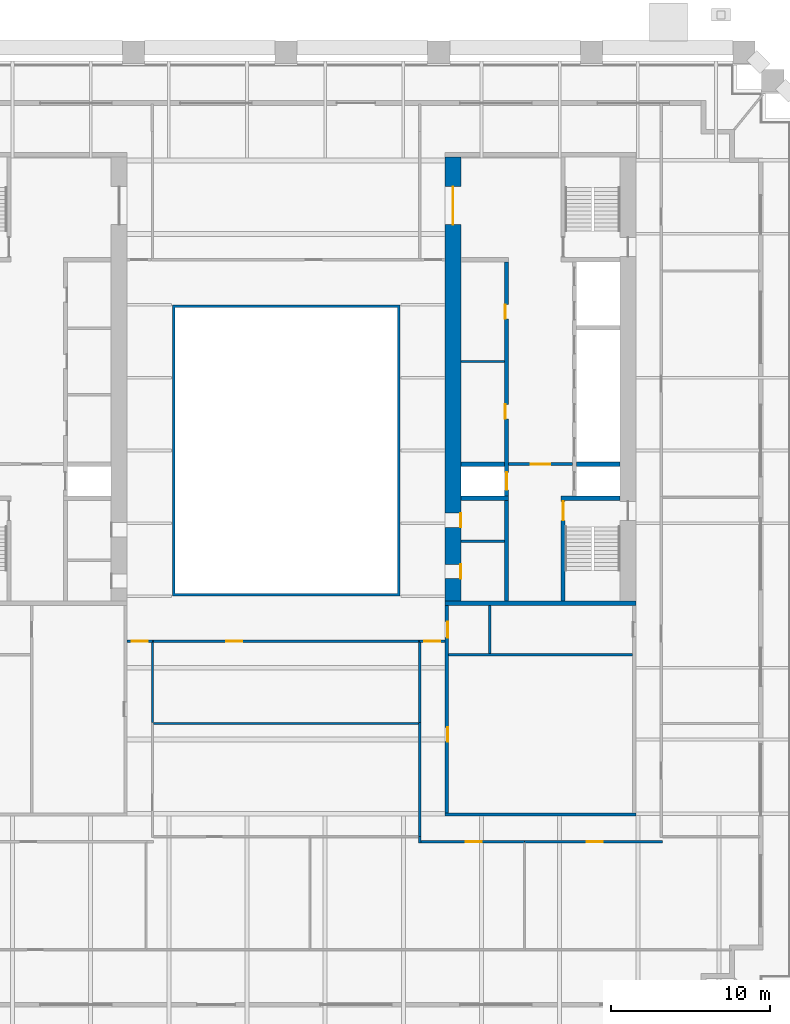
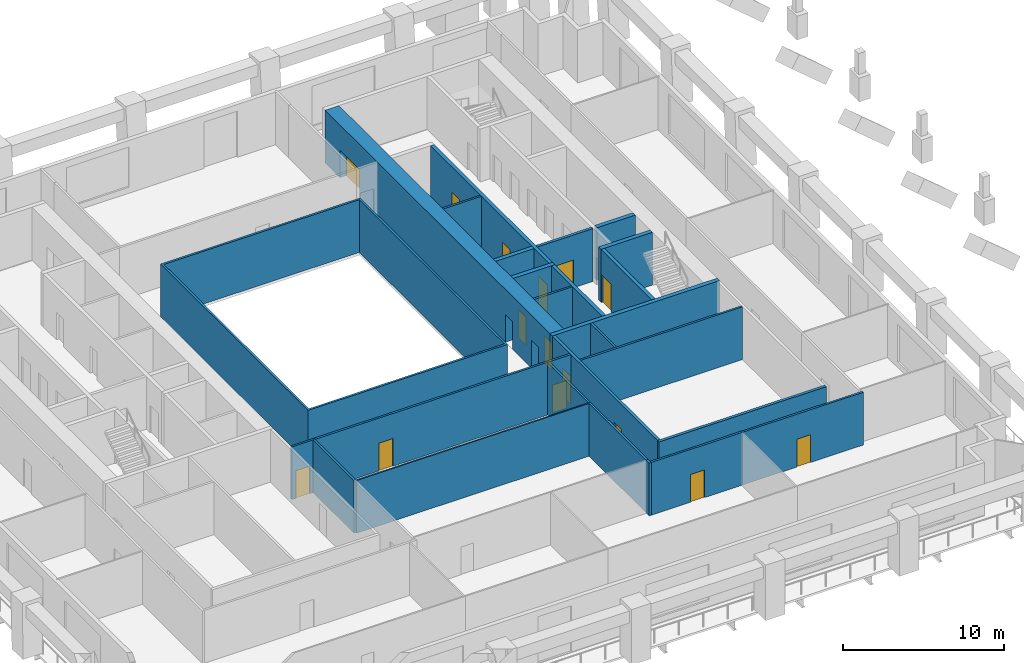
# One storey, part 5 of 10: 26 walls, 15 doors, 15 openings.
"""IFC4 building model written with IfcOpenShell, lengths in metres."""

from ifc_helpers import new_model, si_unit, direction, frame, frame_2d, origin, place, context, subcontext, project, spatial, polyline, rectangle, outline, extrude, material, layer, layer_set, type_object, element, fill, save


model = new_model("IFC4")

# Units and contexts
model_context = context("Model", 3, precision=1e-05, world=origin(), true_north=direction((0.0, 1.0)))
body_context = subcontext(model_context, "Body", "Model", "MODEL_VIEW")
ifc_project = project(units=[si_unit("LENGTHUNIT", "METRE"), si_unit("AREAUNIT", "SQUARE_METRE"), si_unit("VOLUMEUNIT", "CUBIC_METRE"), si_unit("PLANEANGLEUNIT", "RADIAN"), si_unit("MASSUNIT", "GRAM", prefix="KILO")], contexts=[model_context])

# Site, building, storey
site_placement = place(None, origin())
site = spatial("IfcSite", under=ifc_project, at=site_placement, CompositionType="ELEMENT")
building_placement = place(site_placement, origin())
building = spatial("IfcBuilding", under=site, at=building_placement, Name="Ogive Exchange Tower", CompositionType="ELEMENT")
storey_placement = place(building_placement, frame((0.0, 0.0, 39.60009765625)))
storey = spatial("IfcBuildingStorey", under=building, at=storey_placement, Name="L07", CompositionType="ELEMENT", Elevation=39.60009765625)

# Walls
ifc_material_1 = material(Name="Gypsum board partition")
ifc_layer_1 = layer(ifc_material_1, 0.14990234375)
ifc_layer_set_1 = layer_set([ifc_layer_1], Name="Core room partition 150 gypsum")
wall_type_1 = type_object("IfcWallType", Name="Core room partition 150 gypsum", PredefinedType="PARTITIONING", material=ifc_layer_set_1)
for number, where, z_axis, x_axis, name in (
    (1, (11.0, 12.60009765625, 0.0), (0.0, 0.0, 1.0), (1.0, 0.0, 0.0), "E row B bay partition 1-1"),
    (2, (11.0, 1.300048828125, 0.0), (0.0, 0.0, 1.0), (1.0, 0.0, 0.0), "E south room partition"),
):
    element("IfcWall", number, at=place(storey_placement, frame(where, z_axis=z_axis, x_axis=x_axis)), inside=storey, type_object=wall_type_1, Name=name, PredefinedType="PARTITIONING", context=body_context, shape_type="SweptSolid", body=[
        extrude(rectangle(XDim=2.75, YDim=0.14990234375, at=frame_2d((1.375, 0.0))), origin(), (0.0, 0.0, 1.0), 4.0),
    ])
wall_1_placement = place(storey_placement, frame((10.199951171875, -5.85009765625, 0.0), z_axis=(0.0, 0.0, 1.0), x_axis=(1.0, 0.0, 0.0)))
element("IfcWall", 3, at=wall_1_placement, inside=storey, type_object=wall_type_1, Name="E annex S wc strip wall 00", PredefinedType="PARTITIONING", context=body_context, shape_type="SweptSolid", body=[
    extrude(rectangle(XDim=11.60009765625, YDim=0.14990234375, at=frame_2d((5.800048828125, 0.0))), origin(), (0.0, 0.0, 1.0), 4.0),
])
wall_2_placement = place(storey_placement, frame((12.800048828125, -5.77490234375, 0.0), z_axis=(0.0, 0.0, 1.0), x_axis=(0.0, 1.0, 0.0)))
element("IfcWall", 4, at=wall_2_placement, inside=storey, type_object=wall_type_1, Name="E annex S wc partition 00", PredefinedType="PARTITIONING", context=body_context, shape_type="SweptSolid", body=[
    extrude(rectangle(XDim=3.02490234375, YDim=0.14990234375, at=frame_2d((1.512451171875, 0.0))), origin(), (0.0, 0.0, 1.0), 4.0),
])
ifc_material_2 = material(Name="Fire partition EI 60 150")
ifc_layer_2 = layer(ifc_material_2, 0.14990234375)
ifc_layer_set_2 = layer_set([ifc_layer_2], Name="Fire partition EI 60 150")
wall_type_2 = type_object("IfcWallType", Name="Fire partition EI 60 150", PredefinedType="PARTITIONING", material=ifc_layer_set_2)
wall_3_placement = place(storey_placement, frame((-8.39990234375, -4.925048828125, 0.0), z_axis=(0.0, 0.0, 1.0), x_axis=(0.0, -1.0, 0.0)))
element("IfcWall", 5, at=wall_3_placement, inside=storey, type_object=wall_type_2, Name="L07-PWL-019", PredefinedType="PARTITIONING", context=body_context, shape_type="SweptSolid", body=[
    extrude(rectangle(XDim=5.195068359375, YDim=0.14990234375, at=frame_2d((2.59765625, 0.0))), origin(), (0.0, 0.0, 1.0), 4.0),
])
wall_4_placement = place(storey_placement, frame((8.39990234375, -17.675048828125, 0.0), z_axis=(0.0, 0.0, 1.0), x_axis=(0.0, 1.0, 0.0)))
element("IfcWall", 6, at=wall_4_placement, inside=storey, type_object=wall_type_2, Name="L07-PWL-025", PredefinedType="PARTITIONING", context=body_context, shape_type="SweptSolid", body=[
    extrude(rectangle(XDim=0.385009765625, YDim=0.14990234375, at=frame_2d((0.1923828125, 0.0))), origin(), (0.0, 0.0, 1.0), 4.0),
])
wall_5_placement = place(storey_placement, frame((8.39990234375, -17.2900390625, 0.0), z_axis=(0.0, 0.0, 1.0), x_axis=(0.0, 1.0, 0.0)))
element("IfcWall", 7, at=wall_5_placement, inside=storey, type_object=wall_type_2, Name="L07-PWL-027", PredefinedType="PARTITIONING", context=body_context, shape_type="SweptSolid", body=[
    extrude(rectangle(XDim=7.169921875, YDim=0.14990234375, at=frame_2d((3.5849609375, 0.0))), origin(), (0.0, 0.0, 1.0), 4.0),
])
wall_6_placement = place(storey_placement, frame((8.39990234375, -10.1201171875, 0.0), z_axis=(0.0, 0.0, 1.0), x_axis=(0.0, 1.0, 0.0)))
element("IfcWall", 8, at=wall_6_placement, inside=storey, type_object=wall_type_2, Name="L07-PWL-029", PredefinedType="PARTITIONING", context=body_context, shape_type="SweptSolid", body=[
    extrude(rectangle(XDim=5.195068359375, YDim=0.14990234375, at=frame_2d((2.59765625, 0.0))), origin(), (0.0, 0.0, 1.0), 4.0),
])

# Wall, opening, door
wall_7_placement = place(storey_placement, frame((8.324951171875, -5.0, 0.0), z_axis=(0.0, 0.0, 1.0), x_axis=(-1.0, 0.0, 0.0)))
wall_7 = element("IfcWall", 9, at=wall_7_placement, inside=storey, type_object=wall_type_2, Name="L07-PWL-030", PredefinedType="PARTITIONING", context=body_context, shape_type="SweptSolid", body=[
    extrude(rectangle(XDim=16.64990234375, YDim=0.14990234375, at=frame_2d((8.324951171875, 0.0))), origin(), (0.0, 0.0, 1.0), 4.0),
])
opening_1_placement = place(wall_7_placement, frame((11.074951171875, 0.0, 0.0)))
opening_1 = element("IfcOpeningElement", 10, at=opening_1_placement, cuts=wall_7, Name="Opening L07-I01", PredefinedType="OPENING", context=body_context, shape_type="SweptSolid", body=[
    extrude(rectangle(XDim=1.0, YDim=2.10009765625, at=frame_2d((0.5, 1.050048828125))), frame((0.0, 0.0849609375, 0.0), z_axis=(0.0, -1.0, 0.0), x_axis=(1.0, 0.0, 0.0)), (0.0, 0.0, 1.0), 0.169921875),
])
ifc_material_3 = material(Name="Fire door FD 30S 1000 x 2100")
door_type_1 = type_object("IfcDoorType", Name="Fire door FD 30S 1000 x 2100", OperationType="NOTDEFINED", PredefinedType="DOOR", material=ifc_material_3)
door_1_placement = place(opening_1_placement, origin())
door_1 = element("IfcDoor", 11, at=door_1_placement, inside=storey, type_object=door_type_1, Name="L07-IDR-001", ObjectType="DT3", OperationType="SINGLE_SWING_LEFT", OverallHeight=2.10009765625, OverallWidth=1.0, PredefinedType="DOOR", context=body_context, shape_type="SweptSolid", body=[
    extrude(rectangle(XDim=1.0, YDim=2.10009765625, at=frame_2d((0.5, 1.050048828125))), frame((0.0, 0.02490234375, 0.0), z_axis=(0.0, -1.0, 0.0), x_axis=(1.0, 0.0, 0.0)), (0.0, 0.0, 1.0), 0.050048828125),
])
fill(opening_1, door_1)

wall_8_placement = place(storey_placement, frame((15.0, -17.60009765625, 0.0), z_axis=(0.0, 0.0, 1.0), x_axis=(-1.0, 0.0, 0.0)))
wall_8 = element("IfcWall", 12, at=wall_8_placement, inside=storey, type_object=wall_type_2, Name="L07-PWL-034", PredefinedType="PARTITIONING", context=body_context, shape_type="SweptSolid", body=[
    extrude(rectangle(XDim=6.52490234375, YDim=0.14990234375, at=frame_2d((3.262451171875, 0.0))), origin(), (0.0, 0.0, 1.0), 4.0),
])
opening_2_placement = place(wall_8_placement, frame((2.699951171875, 0.0, 0.0)))
opening_2 = element("IfcOpeningElement", 13, at=opening_2_placement, cuts=wall_8, Name="Opening L07-I14", PredefinedType="OPENING", context=body_context, shape_type="SweptSolid", body=[
    extrude(rectangle(XDim=1.0, YDim=2.10009765625, at=frame_2d((0.5, 1.050048828125))), frame((0.0, 0.0849609375, 0.0), z_axis=(0.0, -1.0, 0.0), x_axis=(1.0, 0.0, 0.0)), (0.0, 0.0, 1.0), 0.169921875),
])
door_2_placement = place(opening_2_placement, origin())
door_2 = element("IfcDoor", 14, at=door_2_placement, inside=storey, type_object=door_type_1, Name="L07-IDR-014", ObjectType="DT3", OperationType="SINGLE_SWING_RIGHT", OverallHeight=2.10009765625, OverallWidth=1.0, PredefinedType="DOOR", context=body_context, shape_type="SweptSolid", body=[
    extrude(rectangle(XDim=1.0, YDim=2.10009765625, at=frame_2d((0.5, 1.050048828125))), frame((0.0, 0.02490234375, 0.0), z_axis=(0.0, -1.0, 0.0), x_axis=(1.0, 0.0, 0.0)), (0.0, 0.0, 1.0), 0.050048828125),
])
fill(opening_2, door_2)

wall_9_placement = place(storey_placement, frame((23.675048828125, -17.60009765625, 0.0), z_axis=(0.0, 0.0, 1.0), x_axis=(-1.0, 0.0, 0.0)))
wall_9 = element("IfcWall", 15, at=wall_9_placement, inside=storey, type_object=wall_type_2, Name="L07-PWL-037", PredefinedType="PARTITIONING", context=body_context, shape_type="SweptSolid", body=[
    extrude(rectangle(XDim=8.675048828125, YDim=0.14990234375, at=frame_2d((4.33740234375, 0.0))), origin(), (0.0, 0.0, 1.0), 4.0),
])
opening_3_placement = place(wall_9_placement, frame((3.77490234375, 0.0, 0.0)))
opening_3 = element("IfcOpeningElement", 16, at=opening_3_placement, cuts=wall_9, Name="Opening L07-I16", PredefinedType="OPENING", context=body_context, shape_type="SweptSolid", body=[
    extrude(rectangle(XDim=1.0, YDim=2.10009765625, at=frame_2d((0.5, 1.050048828125))), frame((0.0, 0.0849609375, 0.0), z_axis=(0.0, -1.0, 0.0), x_axis=(1.0, 0.0, 0.0)), (0.0, 0.0, 1.0), 0.169921875),
])
door_3_placement = place(opening_3_placement, origin())
door_3 = element("IfcDoor", 17, at=door_3_placement, inside=storey, type_object=door_type_1, Name="L07-IDR-016", ObjectType="DT3", OperationType="SINGLE_SWING_LEFT", OverallHeight=2.10009765625, OverallWidth=1.0, PredefinedType="DOOR", context=body_context, shape_type="SweptSolid", body=[
    extrude(rectangle(XDim=1.0, YDim=2.10009765625, at=frame_2d((0.5, 1.050048828125))), frame((0.0, 0.02490234375, 0.0), z_axis=(0.0, -1.0, 0.0), x_axis=(1.0, 0.0, 0.0)), (0.0, 0.0, 1.0), 0.050048828125),
])
fill(opening_3, door_3)

wall_10_placement = place(storey_placement, frame((-8.39990234375, -5.0, 0.0), z_axis=(0.0, 0.0, 1.0), x_axis=(-1.0, 0.0, 0.0)))
wall_10 = element("IfcWall", 18, at=wall_10_placement, inside=storey, type_object=wall_type_2, Name="L07-PWL-048", PredefinedType="PARTITIONING", context=body_context, shape_type="SweptSolid", body=[
    extrude(rectangle(XDim=1.60009765625, YDim=0.14990234375, at=frame_2d((0.800048828125, 0.0))), origin(), (0.0, 0.0, 1.0), 4.0),
])
opening_4_placement = place(wall_10_placement, frame((0.300048828125, 0.0, 0.0)))
opening_4 = element("IfcOpeningElement", 19, at=opening_4_placement, cuts=wall_10, Name="Opening L07-I18", PredefinedType="OPENING", context=body_context, shape_type="SweptSolid", body=[
    extrude(rectangle(XDim=1.0, YDim=2.10009765625, at=frame_2d((0.5, 1.050048828125))), frame((0.0, 0.0849609375, 0.0), z_axis=(0.0, -1.0, 0.0), x_axis=(1.0, 0.0, 0.0)), (0.0, 0.0, 1.0), 0.169921875),
])
door_4_placement = place(opening_4_placement, origin())
door_4 = element("IfcDoor", 20, at=door_4_placement, inside=storey, type_object=door_type_1, Name="L07-IDR-018", ObjectType="DT3", OperationType="SINGLE_SWING_RIGHT", OverallHeight=2.10009765625, OverallWidth=1.0, PredefinedType="DOOR", context=body_context, shape_type="SweptSolid", body=[
    extrude(rectangle(XDim=1.0, YDim=2.10009765625, at=frame_2d((0.5, 1.050048828125))), frame((0.0, 0.02490234375, 0.0), z_axis=(0.0, -1.0, 0.0), x_axis=(1.0, 0.0, 0.0)), (0.0, 0.0, 1.0), 0.050048828125),
])
fill(opening_4, door_4)

wall_11_placement = place(storey_placement, frame((10.0, -5.0, 0.0), z_axis=(0.0, 0.0, 1.0), x_axis=(-1.0, 0.0, 0.0)))
wall_11 = element("IfcWall", 21, at=wall_11_placement, inside=storey, type_object=wall_type_2, Name="L07-PWL-050", PredefinedType="PARTITIONING", context=body_context, shape_type="SweptSolid", body=[
    extrude(rectangle(XDim=1.60009765625, YDim=0.14990234375, at=frame_2d((0.800048828125, 0.0))), origin(), (0.0, 0.0, 1.0), 4.0),
])
opening_5_placement = place(wall_11_placement, frame((0.300048828125, 0.0, 0.0)))
opening_5 = element("IfcOpeningElement", 22, at=opening_5_placement, cuts=wall_11, Name="Opening L07-I20", PredefinedType="OPENING", context=body_context, shape_type="SweptSolid", body=[
    extrude(rectangle(XDim=1.0, YDim=2.10009765625, at=frame_2d((0.5, 1.050048828125))), frame((0.0, 0.0849609375, 0.0), z_axis=(0.0, -1.0, 0.0), x_axis=(1.0, 0.0, 0.0)), (0.0, 0.0, 1.0), 0.169921875),
])
door_5_placement = place(opening_5_placement, origin())
door_5 = element("IfcDoor", 23, at=door_5_placement, inside=storey, type_object=door_type_1, Name="L07-IDR-020", ObjectType="DT3", OperationType="SINGLE_SWING_LEFT", OverallHeight=2.10009765625, OverallWidth=1.0, PredefinedType="DOOR", context=body_context, shape_type="SweptSolid", body=[
    extrude(rectangle(XDim=1.0, YDim=2.10009765625, at=frame_2d((0.5, 1.050048828125))), frame((0.0, 0.02490234375, 0.0), z_axis=(0.0, -1.0, 0.0), x_axis=(1.0, 0.0, 0.0)), (0.0, 0.0, 1.0), 0.050048828125),
])
fill(opening_5, door_5)

# Walls
ifc_material_4 = material(Name="Fire-resisting glass in steel frame", Category="steel")
ifc_layer_3 = layer(ifc_material_4, 0.14990234375)
ifc_layer_set_3 = layer_set([ifc_layer_3], Name="Fire-rated glazed wall 150")
wall_type_3 = type_object("IfcWallType", Name="Fire-rated glazed wall 150", PredefinedType="STANDARD", material=ifc_layer_set_3)
wall_12_placement = place(storey_placement, origin())
element("IfcWall", 24, at=wall_12_placement, inside=storey, type_object=wall_type_3, Name="Nave enclosure wall", PredefinedType="STANDARD", context=body_context, shape_type="SweptSolid", body=[
    extrude(outline(polyline([(-7.14990234375, -2.14990234375), (7.14990234375, -2.14990234375), (7.14990234375, 16.14990234375), (-7.14990234375, 16.14990234375), (-7.14990234375, -2.14990234375)]), holes=[polyline([(-7.0, -2.0), (-7.0, 16.0), (7.0, 16.0), (7.0, -2.0), (-7.0, -2.0)])]), origin(), (0.0, 0.0, 1.0), 4.0),
])
ifc_material_5 = material(Name="Partition 100 gypsum")
ifc_layer_4 = layer(ifc_material_5, 0.10009765625)
ifc_layer_set_4 = layer_set([ifc_layer_4], Name="Partition 100 gypsum")
wall_type_4 = type_object("IfcWallType", Name="Partition 100 gypsum", PredefinedType="PARTITIONING", material=ifc_layer_set_4)
wall_13_placement = place(storey_placement, frame((8.324951171875, -10.169921875, 0.0), z_axis=(0.0, 0.0, 1.0), x_axis=(-1.0, 0.0, 0.0)))
element("IfcWall", 25, at=wall_13_placement, inside=storey, type_object=wall_type_4, Name="L07-PWL-028", PredefinedType="PARTITIONING", context=body_context, shape_type="SweptSolid", body=[
    extrude(rectangle(XDim=16.64990234375, YDim=0.10009765625, at=frame_2d((8.324951171875, 0.0))), origin(), (0.0, 0.0, 1.0), 4.0),
])

# Wall, openings, doors
ifc_material_6 = material(Name="Concrete C70/85", Category="concrete")
ifc_layer_5 = layer(ifc_material_6, 1.0)
ifc_layer_set_5 = layer_set([ifc_layer_5], Name="RC core wall 1000 C70/85")
wall_type_5 = type_object("IfcWallType", Name="RC core wall 1000 C70/85", PredefinedType="SHEAR", material=ifc_layer_set_5)
wall_14_placement = place(storey_placement, frame((10.5, -2.449951171875, 0.0), z_axis=(0.0, 0.0, 1.0), x_axis=(0.0, 1.0, 0.0)))
wall_14 = element("IfcWall", 26, at=wall_14_placement, inside=storey, type_object=wall_type_5, Name="E inner wall", PredefinedType="SHEAR", context=body_context, shape_type="SweptSolid", body=[
    extrude(rectangle(XDim=27.89990234375, YDim=1.0, at=frame_2d((13.949951171875, 0.0))), origin(), (0.0, 0.0, 1.0), 4.0),
])
opening_6_placement = place(wall_14_placement, frame((23.64990234375, 0.0, 0.0)))
opening_6 = element("IfcOpeningElement", 27, at=opening_6_placement, cuts=wall_14, Name="Opening L07-C35", PredefinedType="OPENING", context=body_context, shape_type="SweptSolid", body=[
    extrude(rectangle(XDim=2.39990234375, YDim=2.10009765625, at=frame_2d((1.199951171875, 1.050048828125))), frame((0.0, 0.510009765625, 0.0), z_axis=(0.0, -1.0, 0.0), x_axis=(1.0, 0.0, 0.0)), (0.0, 0.0, 1.0), 1.02001953125),
])
opening_7_placement = place(wall_14_placement, frame((1.387451171875, 0.0, 0.0)))
opening_7 = element("IfcOpeningElement", 28, at=opening_7_placement, cuts=wall_14, Name="Opening L07-C40", PredefinedType="OPENING", context=body_context, shape_type="SweptSolid", body=[
    extrude(rectangle(XDim=0.89990234375, YDim=2.10009765625, at=frame_2d((0.449951171875, 1.050048828125))), frame((0.0, 0.510009765625, 0.0), z_axis=(0.0, -1.0, 0.0), x_axis=(1.0, 0.0, 0.0)), (0.0, 0.0, 1.0), 1.02001953125),
])
opening_8_placement = place(wall_14_placement, frame((4.612548828125, 0.0, 0.0)))
opening_8 = element("IfcOpeningElement", 29, at=opening_8_placement, cuts=wall_14, Name="Opening L07-C41", PredefinedType="OPENING", context=body_context, shape_type="SweptSolid", body=[
    extrude(rectangle(XDim=0.89990234375, YDim=2.10009765625, at=frame_2d((0.449951171875, 1.050048828125))), frame((0.0, 0.510009765625, 0.0), z_axis=(0.0, -1.0, 0.0), x_axis=(1.0, 0.0, 0.0)), (0.0, 0.0, 1.0), 1.02001953125),
])
ifc_material_7 = material(Name="Timber fire door", Category="wood")
door_type_2 = type_object("IfcDoorType", Name="Core room door FD30S 900 x 2100", OperationType="NOTDEFINED", PredefinedType="DOOR", material=ifc_material_7)
door_6_placement = place(opening_7_placement, frame((0.89990234375, -0.9501953125, 0.0), z_axis=(0.0, 0.0, 1.0), x_axis=(-1.0, 0.0, 0.0)))
door_6 = element("IfcDoor", 30, at=door_6_placement, inside=storey, type_object=door_type_2, Name="Core room door", ObjectType="CD6", OperationType="SINGLE_SWING_RIGHT", OverallHeight=2.10009765625, OverallWidth=0.89990234375, PredefinedType="DOOR", context=body_context, shape_type="SweptSolid", body=[
    extrude(rectangle(XDim=0.89990234375, YDim=2.10009765625, at=frame_2d((0.449951171875, 1.050048828125))), frame((0.0, -0.4501953125, 0.0), z_axis=(0.0, -1.0, 0.0), x_axis=(1.0, 0.0, 0.0)), (0.0, 0.0, 1.0), 0.050048828125),
])
fill(opening_7, door_6)
ifc_material_8 = material(Name="Glazed steel fire door", Category="steel")
door_type_3 = type_object("IfcDoorType", Name="Lift lobby double door FD60 2400 x 2100", OperationType="DOUBLE_DOOR_SINGLE_SWING", PredefinedType="DOOR", material=ifc_material_8)
door_7_placement = place(opening_6_placement, frame((2.39990234375, 0.0, 0.0), z_axis=(0.0, 0.0, 1.0), x_axis=(-1.0, 0.0, 0.0)))
door_7 = element("IfcDoor", 31, at=door_7_placement, inside=storey, type_object=door_type_3, Name="Lift lobby double door", ObjectType="CD4", OperationType="DOUBLE_DOOR_SINGLE_SWING", OverallHeight=2.10009765625, OverallWidth=2.39990234375, PredefinedType="DOOR", context=body_context, shape_type="SweptSolid", body=[
    extrude(rectangle(XDim=2.39990234375, YDim=2.10009765625, at=frame_2d((1.199951171875, 1.050048828125))), frame((0.0, 0.02490234375, 0.0), z_axis=(0.0, -1.0, 0.0), x_axis=(1.0, 0.0, 0.0)), (0.0, 0.0, 1.0), 0.050048828125),
])
fill(opening_6, door_7)
ifc_material_9 = material(Name="Steel fire door", Category="steel")
door_type_4 = type_object("IfcDoorType", Name="Riser door FD60 900 x 2100", OperationType="NOTDEFINED", PredefinedType="DOOR", material=ifc_material_9)
door_8_placement = place(opening_8_placement, frame((0.89990234375, -0.9501953125, 0.0), z_axis=(0.0, 0.0, 1.0), x_axis=(-1.0, 0.0, 0.0)))
door_8 = element("IfcDoor", 32, at=door_8_placement, inside=storey, type_object=door_type_4, Name="Riser door", ObjectType="CD2", OperationType="SINGLE_SWING_RIGHT", OverallHeight=2.10009765625, OverallWidth=0.89990234375, PredefinedType="DOOR", context=body_context, shape_type="SweptSolid", body=[
    extrude(rectangle(XDim=0.89990234375, YDim=2.10009765625, at=frame_2d((0.449951171875, 1.050048828125))), frame((0.0, -0.4501953125, 0.0), z_axis=(0.0, -1.0, 0.0), x_axis=(1.0, 0.0, 0.0)), (0.0, 0.0, 1.0), 0.050048828125),
])
fill(opening_8, door_8)

# Wall, opening, door
ifc_layer_6 = layer(ifc_material_6, 0.199951171875)
ifc_layer_set_6 = layer_set([ifc_layer_6], Name="RC core wall 200 C70/85")
wall_type_6 = type_object("IfcWallType", Name="RC core wall 200 C70/85", PredefinedType="SHEAR", material=ifc_layer_set_6)
wall_15_placement = place(storey_placement, frame((14.0, 6.142822265625, 0.0), z_axis=(0.0, 0.0, 1.0), x_axis=(1.0, 0.0, 0.0)))
wall_15 = element("IfcWall", 33, at=wall_15_placement, inside=storey, type_object=wall_type_6, Name="E firefighting lobby wall", PredefinedType="SHEAR", context=body_context, shape_type="SweptSolid", body=[
    extrude(rectangle(XDim=4.0, YDim=0.199951171875, at=frame_2d((2.0, 0.0))), origin(), (0.0, 0.0, 1.0), 4.0),
])
opening_9_placement = place(wall_15_placement, frame((1.39990234375, 0.0, 0.0)))
opening_9 = element("IfcOpeningElement", 34, at=opening_9_placement, cuts=wall_15, Name="Opening L07-C34", PredefinedType="OPENING", context=body_context, shape_type="SweptSolid", body=[
    extrude(rectangle(XDim=1.199951171875, YDim=2.10009765625, at=frame_2d((0.60009765625, 1.050048828125))), frame((0.0, 0.10986328125, 0.0), z_axis=(0.0, -1.0, 0.0), x_axis=(1.0, 0.0, 0.0)), (0.0, 0.0, 1.0), 0.219970703125),
])
door_type_5 = type_object("IfcDoorType", Name="Firefighting lobby door FD60 1200 x 2100", OperationType="NOTDEFINED", PredefinedType="DOOR", material=ifc_material_9)
door_9_placement = place(opening_9_placement, frame((1.199951171875, 0.0, 0.0), z_axis=(0.0, 0.0, 1.0), x_axis=(-1.0, 0.0, 0.0)))
door_9 = element("IfcDoor", 35, at=door_9_placement, inside=storey, type_object=door_type_5, Name="Firefighting lobby door", ObjectType="CD3", OperationType="SINGLE_SWING_RIGHT", OverallHeight=2.10009765625, OverallWidth=1.199951171875, PredefinedType="DOOR", context=body_context, shape_type="SweptSolid", body=[
    extrude(rectangle(XDim=1.199951171875, YDim=2.10009765625, at=frame_2d((0.60009765625, 1.050048828125))), frame((0.0, 0.02490234375, 0.0), z_axis=(0.0, -1.0, 0.0), x_axis=(1.0, 0.0, 0.0)), (0.0, 0.0, 1.0), 0.050048828125),
])
fill(opening_9, door_9)

# Wall, openings, doors
wall_16_placement = place(storey_placement, frame((10.10009765625, -15.800048828125, 0.0), z_axis=(0.0, 0.0, 1.0), x_axis=(0.0, 1.0, 0.0)))
wall_16 = element("IfcWall", 36, at=wall_16_placement, inside=storey, type_object=wall_type_6, Name="E annex S inner wall", PredefinedType="SHEAR", context=body_context, shape_type="SweptSolid", body=[
    extrude(rectangle(XDim=13.050048828125, YDim=0.199951171875, at=frame_2d((6.52490234375, 0.0))), origin(), (0.0, 0.0, 1.0), 4.0),
])
opening_10_placement = place(wall_16_placement, frame((4.487548828125, 0.0, 0.0)))
opening_10 = element("IfcOpeningElement", 37, at=opening_10_placement, cuts=wall_16, Name="Opening L07-C42", PredefinedType="OPENING", context=body_context, shape_type="SweptSolid", body=[
    extrude(rectangle(XDim=0.89990234375, YDim=2.10009765625, at=frame_2d((0.449951171875, 1.050048828125))), frame((0.0, 0.10986328125, 0.0), z_axis=(0.0, -1.0, 0.0), x_axis=(1.0, 0.0, 0.0)), (0.0, 0.0, 1.0), 0.219970703125),
])
opening_11_placement = place(wall_16_placement, frame((11.03759765625, 0.0, 0.0)))
opening_11 = element("IfcOpeningElement", 38, at=opening_11_placement, cuts=wall_16, Name="Opening L07-C43", PredefinedType="OPENING", context=body_context, shape_type="SweptSolid", body=[
    extrude(rectangle(XDim=1.0, YDim=2.10009765625, at=frame_2d((0.5, 1.050048828125))), frame((0.0, 0.10986328125, 0.0), z_axis=(0.0, -1.0, 0.0), x_axis=(1.0, 0.0, 0.0)), (0.0, 0.0, 1.0), 0.219970703125),
])
door_type_6 = type_object("IfcDoorType", Name="Accessible WC door FD30S 1000 x 2100", OperationType="NOTDEFINED", PredefinedType="DOOR", material=ifc_material_7)
door_10_placement = place(opening_11_placement, frame((1.0, -0.14990234375, 0.0), z_axis=(0.0, 0.0, 1.0), x_axis=(-1.0, 0.0, 0.0)))
door_10 = element("IfcDoor", 39, at=door_10_placement, inside=storey, type_object=door_type_6, Name="Accessible WC door", ObjectType="CD7", OperationType="SINGLE_SWING_RIGHT", OverallHeight=2.10009765625, OverallWidth=1.0, PredefinedType="DOOR", context=body_context, shape_type="SweptSolid", body=[
    extrude(rectangle(XDim=1.0, YDim=2.10009765625, at=frame_2d((0.5, 1.050048828125))), frame((0.0, -0.0498046875, 0.0), z_axis=(0.0, -1.0, 0.0), x_axis=(1.0, 0.0, 0.0)), (0.0, 0.0, 1.0), 0.050048828125),
])
fill(opening_11, door_10)
door_11_placement = place(opening_10_placement, frame((0.89990234375, -0.14990234375, 0.0), z_axis=(0.0, 0.0, 1.0), x_axis=(-1.0, 0.0, 0.0)))
door_11 = element("IfcDoor", 40, at=door_11_placement, inside=storey, type_object=door_type_4, Name="Riser door", ObjectType="CD2", OperationType="SINGLE_SWING_RIGHT", OverallHeight=2.10009765625, OverallWidth=0.89990234375, PredefinedType="DOOR", context=body_context, shape_type="SweptSolid", body=[
    extrude(rectangle(XDim=0.89990234375, YDim=2.10009765625, at=frame_2d((0.449951171875, 1.050048828125))), frame((0.0, -0.0498046875, 0.0), z_axis=(0.0, -1.0, 0.0), x_axis=(1.0, 0.0, 0.0)), (0.0, 0.0, 1.0), 0.050048828125),
])
fill(opening_10, door_11)

# Wall
wall_17_placement = place(storey_placement, frame((10.0, -15.89990234375, 0.0), z_axis=(0.0, 0.0, 1.0), x_axis=(1.0, 0.0, 0.0)))
element("IfcWall", 41, at=wall_17_placement, inside=storey, type_object=wall_type_6, Name="E annex S end wall", PredefinedType="SHEAR", context=body_context, shape_type="SweptSolid", body=[
    extrude(rectangle(XDim=12.0, YDim=0.199951171875, at=frame_2d((6.0, 0.0))), origin(), (0.0, 0.0, 1.0), 4.0),
])

# Wall, opening, door
ifc_layer_7 = layer(ifc_material_6, 0.25)
ifc_layer_set_7 = layer_set([ifc_layer_7], Name="RC core wall 250 C70/85")
wall_type_7 = type_object("IfcWallType", Name="RC core wall 250 C70/85", PredefinedType="SHEAR", material=ifc_layer_set_7)
wall_18_placement = place(storey_placement, frame((17.425048828125, -2.449951171875, 0.0), z_axis=(0.0, 0.0, 1.0), x_axis=(0.0, 1.0, 0.0)))
wall_18 = element("IfcWall", 42, at=wall_18_placement, inside=storey, type_object=wall_type_7, Name="E stair S front wall", PredefinedType="SHEAR", context=body_context, shape_type="SweptSolid", body=[
    extrude(rectangle(XDim=6.300048828125, YDim=0.25, at=frame_2d((3.14990234375, 0.0))), origin(), (0.0, 0.0, 1.0), 4.0),
])
opening_12_placement = place(wall_18_placement, frame((5.050048828125, 0.0, 0.0)))
opening_12 = element("IfcOpeningElement", 43, at=opening_12_placement, cuts=wall_18, Name="Opening L07-C36", PredefinedType="OPENING", context=body_context, shape_type="SweptSolid", body=[
    extrude(rectangle(XDim=1.199951171875, YDim=2.10009765625, at=frame_2d((0.60009765625, 1.050048828125))), frame((0.0, 0.135009765625, 0.0), z_axis=(0.0, -1.0, 0.0), x_axis=(1.0, 0.0, 0.0)), (0.0, 0.0, 1.0), 0.27001953125),
])
door_type_7 = type_object("IfcDoorType", Name="Stair door FD90 1200 x 2100", OperationType="NOTDEFINED", PredefinedType="DOOR", material=ifc_material_9)
door_12_placement = place(opening_12_placement, frame((1.199951171875, 0.0, 0.0), z_axis=(0.0, 0.0, 1.0), x_axis=(-1.0, 0.0, 0.0)))
door_12 = element("IfcDoor", 44, at=door_12_placement, inside=storey, type_object=door_type_7, Name="Stair door", ObjectType="CD5", OperationType="SINGLE_SWING_RIGHT", OverallHeight=2.10009765625, OverallWidth=1.199951171875, PredefinedType="DOOR", context=body_context, shape_type="SweptSolid", body=[
    extrude(rectangle(XDim=1.199951171875, YDim=2.10009765625, at=frame_2d((0.60009765625, 1.050048828125))), frame((0.0, 0.02490234375, 0.0), z_axis=(0.0, -1.0, 0.0), x_axis=(1.0, 0.0, 0.0)), (0.0, 0.0, 1.0), 0.050048828125),
])
fill(opening_12, door_12)

# Wall, openings, doors
wall_19_placement = place(storey_placement, frame((13.875, -2.449951171875, 0.0), z_axis=(0.0, 0.0, 1.0), x_axis=(0.0, 1.0, 0.0)))
wall_19 = element("IfcWall", 45, at=wall_19_placement, inside=storey, type_object=wall_type_7, Name="E row B front wall", PredefinedType="SHEAR", context=body_context, shape_type="SweptSolid", body=[
    extrude(rectangle(XDim=21.300048828125, YDim=0.25, at=frame_2d((10.64990234375, 0.0))), origin(), (0.0, 0.0, 1.0), 4.0),
])
opening_13_placement = place(wall_19_placement, frame((11.4462890625, 0.0, 0.0)))
opening_13 = element("IfcOpeningElement", 46, at=opening_13_placement, cuts=wall_19, Name="Opening L07-C31", PredefinedType="OPENING", context=body_context, shape_type="SweptSolid", body=[
    extrude(rectangle(XDim=0.89990234375, YDim=2.10009765625, at=frame_2d((0.449951171875, 1.050048828125))), frame((0.0, 0.135009765625, 0.0), z_axis=(0.0, -1.0, 0.0), x_axis=(1.0, 0.0, 0.0)), (0.0, 0.0, 1.0), 0.27001953125),
])
opening_14_placement = place(wall_19_placement, frame((17.72509765625, 0.0, 0.0)))
opening_14 = element("IfcOpeningElement", 47, at=opening_14_placement, cuts=wall_19, Name="Opening L07-C32", PredefinedType="OPENING", context=body_context, shape_type="SweptSolid", body=[
    extrude(rectangle(XDim=0.89990234375, YDim=2.10009765625, at=frame_2d((0.449951171875, 1.050048828125))), frame((0.0, 0.135009765625, 0.0), z_axis=(0.0, -1.0, 0.0), x_axis=(1.0, 0.0, 0.0)), (0.0, 0.0, 1.0), 0.27001953125),
])
opening_15_placement = place(wall_19_placement, frame((6.971435546875, 0.0, 0.0)))
opening_15 = element("IfcOpeningElement", 48, at=opening_15_placement, cuts=wall_19, Name="Opening L07-C33", PredefinedType="OPENING", context=body_context, shape_type="SweptSolid", body=[
    extrude(rectangle(XDim=1.10009765625, YDim=2.10009765625, at=frame_2d((0.550048828125, 1.050048828125))), frame((0.0, 0.135009765625, 0.0), z_axis=(0.0, -1.0, 0.0), x_axis=(1.0, 0.0, 0.0)), (0.0, 0.0, 1.0), 0.27001953125),
])
door_13_placement = place(opening_14_placement, origin())
door_13 = element("IfcDoor", 49, at=door_13_placement, inside=storey, type_object=door_type_2, Name="Core room door", ObjectType="CD6", OperationType="SINGLE_SWING_RIGHT", OverallHeight=2.10009765625, OverallWidth=0.89990234375, PredefinedType="DOOR", context=body_context, shape_type="SweptSolid", body=[
    extrude(rectangle(XDim=0.89990234375, YDim=2.10009765625, at=frame_2d((0.449951171875, 1.050048828125))), frame((0.0, 0.125, 0.0), z_axis=(0.0, -1.0, 0.0), x_axis=(1.0, 0.0, 0.0)), (0.0, 0.0, 1.0), 0.050048828125),
])
fill(opening_14, door_13)
ifc_material_10 = material(Name="Stainless steel", Category="steel")
door_type_8 = type_object("IfcDoorType", Name="Lift landing door FD90 1100 x 2100", OperationType="SLIDING_TO_LEFT", PredefinedType="DOOR", material=ifc_material_10)
door_14_placement = place(opening_15_placement, origin())
door_14 = element("IfcDoor", 50, at=door_14_placement, inside=storey, type_object=door_type_8, Name="Lift landing door SV2", ObjectType="LD", OperationType="SLIDING_TO_LEFT", OverallHeight=2.10009765625, OverallWidth=1.10009765625, PredefinedType="DOOR", context=body_context, shape_type="SweptSolid", body=[
    extrude(rectangle(XDim=1.10009765625, YDim=2.10009765625, at=frame_2d((0.550048828125, 1.050048828125))), frame((0.0, 0.02490234375, 0.0), z_axis=(0.0, -1.0, 0.0), x_axis=(1.0, 0.0, 0.0)), (0.0, 0.0, 1.0), 0.050048828125),
])
fill(opening_15, door_14)
door_15_placement = place(opening_13_placement, origin())
door_15 = element("IfcDoor", 51, at=door_15_placement, inside=storey, type_object=door_type_4, Name="Riser door", ObjectType="CD2", OperationType="SINGLE_SWING_RIGHT", OverallHeight=2.10009765625, OverallWidth=0.89990234375, PredefinedType="DOOR", context=body_context, shape_type="SweptSolid", body=[
    extrude(rectangle(XDim=0.89990234375, YDim=2.10009765625, at=frame_2d((0.449951171875, 1.050048828125))), frame((0.0, 0.125, 0.0), z_axis=(0.0, -1.0, 0.0), x_axis=(1.0, 0.0, 0.0)), (0.0, 0.0, 1.0), 0.050048828125),
])
fill(opening_13, door_15)

# Walls
ifc_layer_8 = layer(ifc_material_6, 0.300048828125)
ifc_layer_set_8 = layer_set([ifc_layer_8], Name="RC core wall 300 C70/85")
wall_type_8 = type_object("IfcWallType", Name="RC core wall 300 C70/85", PredefinedType="SHEAR", material=ifc_layer_set_8)
wall_20_placement = place(storey_placement, frame((10.0, -2.60009765625, 0.0), z_axis=(0.0, 0.0, 1.0), x_axis=(1.0, 0.0, 0.0)))
element("IfcWall", 52, at=wall_20_placement, inside=storey, type_object=wall_type_8, Name="E south end wall", PredefinedType="SHEAR", context=body_context, shape_type="SweptSolid", body=[
    extrude(rectangle(XDim=12.0, YDim=0.300048828125, at=frame_2d((6.0, 0.0))), origin(), (0.0, 0.0, 1.0), 4.0),
])
wall_21_placement = place(storey_placement, frame((17.300048828125, 4.0, 0.0), z_axis=(0.0, 0.0, 1.0), x_axis=(1.0, 0.0, 0.0)))
element("IfcWall", 53, at=wall_21_placement, inside=storey, type_object=wall_type_8, Name="E stair S north wall", PredefinedType="SHEAR", context=body_context, shape_type="SweptSolid", body=[
    extrude(rectangle(XDim=3.699951171875, YDim=0.300048828125, at=frame_2d((1.85009765625, 0.0))), origin(), (0.0, 0.0, 1.0), 4.0),
])
wall_22_placement = place(storey_placement, frame((18.25, 6.142822265625, 0.0), z_axis=(0.0, 0.0, 1.0), x_axis=(1.0, 0.0, 0.0)))
element("IfcWall", 54, at=wall_22_placement, inside=storey, type_object=wall_type_8, Name="E row A divider 1", PredefinedType="SHEAR", context=body_context, shape_type="SweptSolid", body=[
    extrude(rectangle(XDim=2.75, YDim=0.300048828125, at=frame_2d((1.375, 0.0))), origin(), (0.0, 0.0, 1.0), 4.0),
])
wall_23_placement = place(storey_placement, frame((11.0, 4.0, 0.0), z_axis=(0.0, 0.0, 1.0), x_axis=(1.0, 0.0, 0.0)))
element("IfcWall", 55, at=wall_23_placement, inside=storey, type_object=wall_type_8, Name="E row B divider 0", PredefinedType="SHEAR", context=body_context, shape_type="SweptSolid", body=[
    extrude(rectangle(XDim=3.0, YDim=0.300048828125, at=frame_2d((1.5, 0.0))), origin(), (0.0, 0.0, 1.0), 4.0),
])
wall_24_placement = place(storey_placement, frame((11.0, 6.142822265625, 0.0), z_axis=(0.0, 0.0, 1.0), x_axis=(1.0, 0.0, 0.0)))
element("IfcWall", 56, at=wall_24_placement, inside=storey, type_object=wall_type_8, Name="E row B divider 1", PredefinedType="SHEAR", context=body_context, shape_type="SweptSolid", body=[
    extrude(rectangle(XDim=2.75, YDim=0.300048828125, at=frame_2d((1.375, 0.0))), origin(), (0.0, 0.0, 1.0), 4.0),
])

save(model, "model.ifc")
